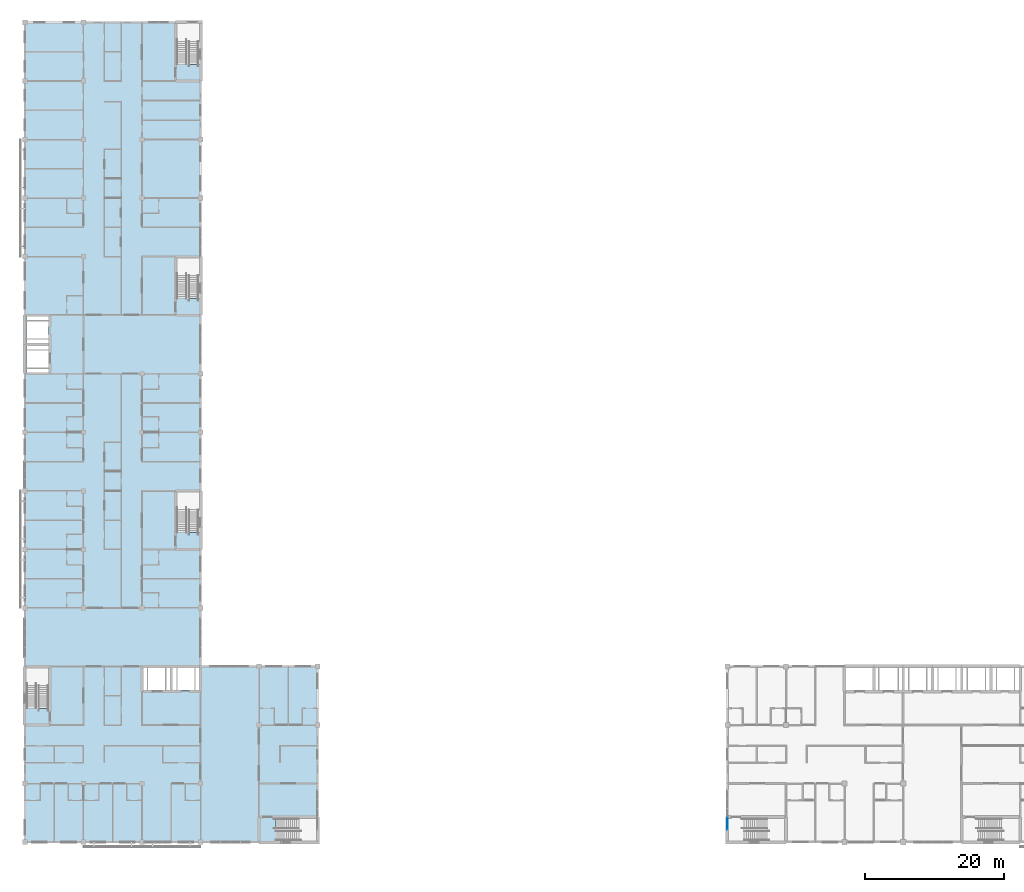
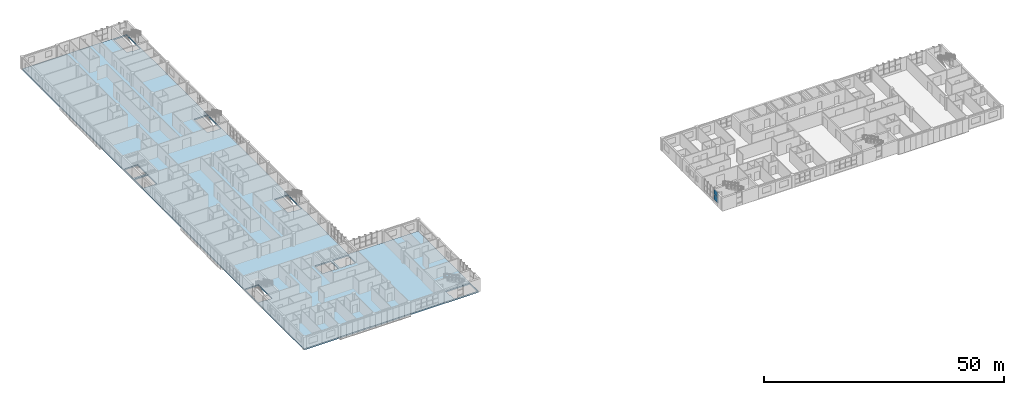
# One storey, part 22 of 48: 2 plates, 1 slab, 1 element without a shape of its own.
"""IFC4 building model written with IfcOpenShell, lengths in metres."""

from ifc_helpers import new_model, si_unit, direction, frame, origin, origin_2d, place, context, subcontext, project, spatial, polyline, rectangle, outline, extrude, material, layer, layer_set, type_object, element, aggregate, save


model = new_model("IFC4")

# Units and contexts
model_context = context("Model", 3, precision=1e-05, world=origin(), true_north=direction((0.0, 1.0)))
body_context = subcontext(model_context, "Body", "Model", "MODEL_VIEW")
ifc_project = project(units=[si_unit("LENGTHUNIT", "METRE"), si_unit("AREAUNIT", "SQUARE_METRE"), si_unit("VOLUMEUNIT", "CUBIC_METRE"), si_unit("PLANEANGLEUNIT", "RADIAN"), si_unit("MASSUNIT", "GRAM", prefix="KILO")], contexts=[model_context])

# Site, building, storey
site_placement = place(None, origin())
site = spatial("IfcSite", under=ifc_project, at=site_placement, CompositionType="ELEMENT")
building_placement = place(site_placement, origin())
building = spatial("IfcBuilding", under=site, at=building_placement, Name="Yavir Park General Hospital", CompositionType="ELEMENT")
storey_placement = place(building_placement, frame((0.0, 0.0, 26.10009765625)))
storey = spatial("IfcBuildingStorey", under=building, at=storey_placement, Name="L06", CompositionType="ELEMENT", Elevation=26.10009765625)

# Slab
ifc_material_1 = material(Name="Concrete C35/45", Category="concrete")
ifc_layer_1 = layer(ifc_material_1, 0.340087890625)
ifc_layer_set_1 = layer_set([ifc_layer_1], Name="Concrete C35/45")
slab_type = type_object("IfcSlabType", Name="RC SLAB FLOOR 340", PredefinedType="FLOOR", material=ifc_layer_set_1)
slab_placement = place(storey_placement, frame((0.0, 0.0, -0.340087890625)))
element("IfcSlab", 1, at=slab_placement, inside=storey, type_object=slab_type, Name="S:L06:0", PredefinedType="FLOOR", context=body_context, shape_type="SweptSolid", body=[
    extrude(outline(polyline([(42.0, 25.199951171875), (25.199951171875, 25.199951171875), (25.199951171875, 117.60009765625), (0.0, 117.60009765625), (0.0, 0.0), (42.0, 0.0), (42.0, 25.199951171875)]), holes=[polyline([(17.0, 21.800048828125), (17.0, 25.0), (20.800048828125, 25.0), (20.800048828125, 21.800048828125), (17.0, 21.800048828125)]), polyline([(21.199951171875, 21.800048828125), (21.199951171875, 25.0), (25.0, 25.0), (25.0, 21.800048828125), (21.199951171875, 21.800048828125)]), polyline([(0.199951171875, 67.39990234375), (0.199951171875, 71.199951171875), (3.39990234375, 71.199951171875), (3.39990234375, 67.39990234375), (0.199951171875, 67.39990234375)]), polyline([(0.199951171875, 71.60009765625), (0.199951171875, 75.39990234375), (3.39990234375, 75.39990234375), (3.39990234375, 71.60009765625), (0.199951171875, 71.60009765625)]), polyline([(3.39990234375, 19.201416015625), (1.64990234375, 19.201416015625), (1.64990234375, 19.3515625), (0.14990234375, 19.3515625), (0.14990234375, 25.0), (3.39990234375, 25.0), (3.39990234375, 19.201416015625)]), polyline([(41.85009765625, 0.14990234375), (36.151611328125, 0.14990234375), (36.151611328125, 1.64990234375), (36.00146484375, 1.64990234375), (36.00146484375, 3.39990234375), (41.85009765625, 3.39990234375), (41.85009765625, 0.14990234375)]), polyline([(21.800048828125, 50.199951171875), (25.050048828125, 50.199951171875), (25.050048828125, 44.401611328125), (23.199951171875, 44.401611328125), (23.199951171875, 44.551513671875), (21.800048828125, 44.551513671875), (21.800048828125, 50.199951171875)]), polyline([(25.050048828125, 78.00146484375), (23.199951171875, 78.00146484375), (23.199951171875, 78.151611328125), (21.800048828125, 78.151611328125), (21.800048828125, 83.800048828125), (25.050048828125, 83.800048828125), (25.050048828125, 78.00146484375)]), polyline([(23.199951171875, 111.75146484375), (21.800048828125, 111.75146484375), (21.800048828125, 117.449951171875), (25.050048828125, 117.449951171875), (25.050048828125, 111.6015625), (23.199951171875, 111.6015625), (23.199951171875, 111.75146484375)])]), origin(), (0.0, 0.0, 1.0), 0.340087890625),
])

# Curtain wall, plates
ifc_material_2 = material(Name="Aluminium curtain wall frame with insulated glazing", Category="aluminium")
curtain_wall_type = type_object("IfcCurtainWallType", Name="Stair light slot, ward floors, 2700 high, 1400 module", PredefinedType="NOTDEFINED", material=ifc_material_2)
curtain_wall_placement = place(storey_placement, origin())
curtain_wall = element("IfcCurtainWall", 2, at=curtain_wall_placement, inside=storey, type_object=curtain_wall_type, Name="CW64 L06-029", PredefinedType="NOTDEFINED")
ifc_material_3 = material(Name="Fire-resisting glazed unit 70 mm")
ifc_layer_2 = layer(ifc_material_3, 0.070068359375)
ifc_layer_set_2 = layer_set([ifc_layer_2], Name="Fire-resisting glazed unit 70 mm")
plate_type = type_object("IfcPlateType", Name="Stair light slot, ward floors, 2700 high panel 70", PredefinedType="CURTAIN_PANEL", material=ifc_layer_set_2)
plate_1_placement = place(storey_placement, frame((100.800048828125, 2.675048828125, 0.64990234375), z_axis=(0.0, 0.0, 1.0), x_axis=(0.0, 1.0, 0.0)))
plate_1 = element("IfcPlate", 3, at=plate_1_placement, type_object=plate_type, Name="CW64 panel 1.1", PredefinedType="CURTAIN_PANEL", context=body_context, shape_type="SweptSolid", body=[
    extrude(rectangle(XDim=1.75, YDim=0.070068359375, at=origin_2d()), origin(), (0.0, 0.0, 1.0), 1.27490234375),
])
plate_2_placement = place(storey_placement, frame((100.800048828125, 2.675048828125, 1.974853515625), z_axis=(0.0, 0.0, 1.0), x_axis=(0.0, 1.0, 0.0)))
plate_2 = element("IfcPlate", 4, at=plate_2_placement, type_object=plate_type, Name="CW64 panel 1.2", PredefinedType="CURTAIN_PANEL", context=body_context, shape_type="SweptSolid", body=[
    extrude(rectangle(XDim=1.75, YDim=0.070068359375, at=origin_2d()), origin(), (0.0, 0.0, 1.0), 1.27490234375),
])
aggregate(curtain_wall, [plate_1, plate_2])

save(model, "model.ifc")
